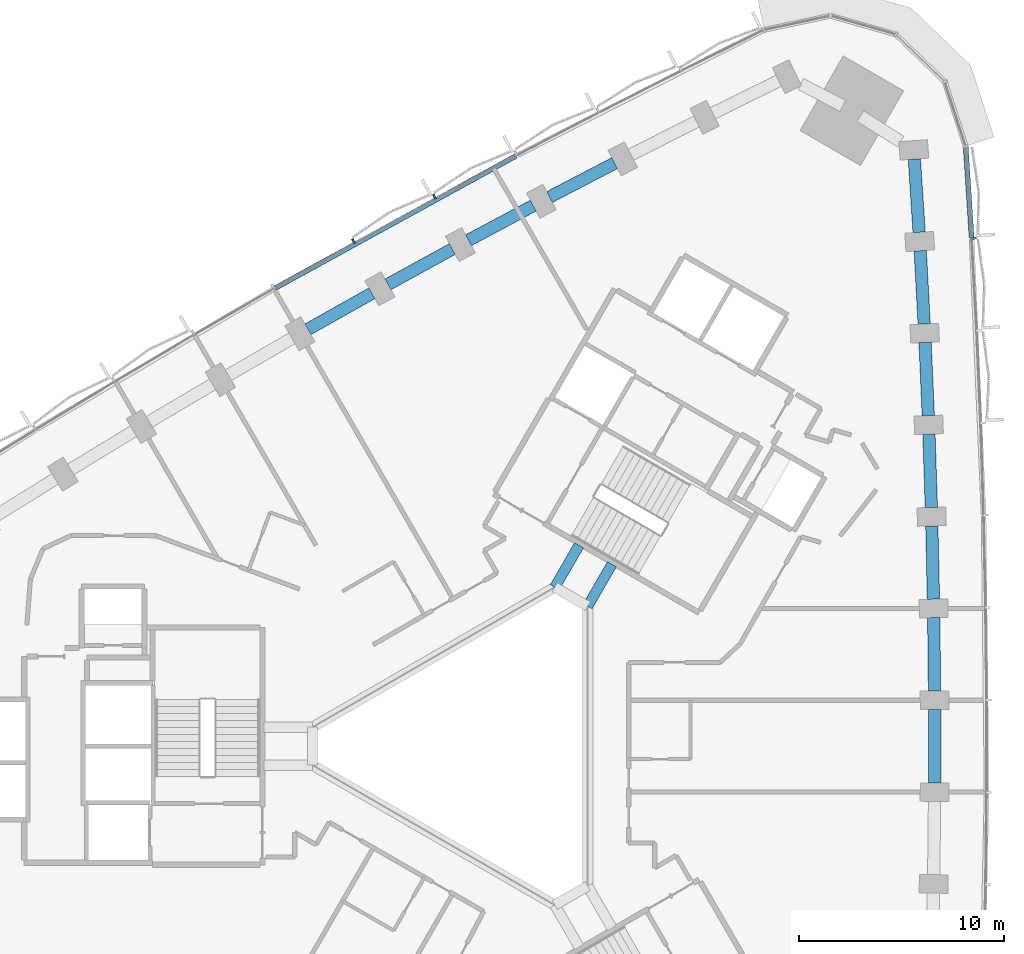
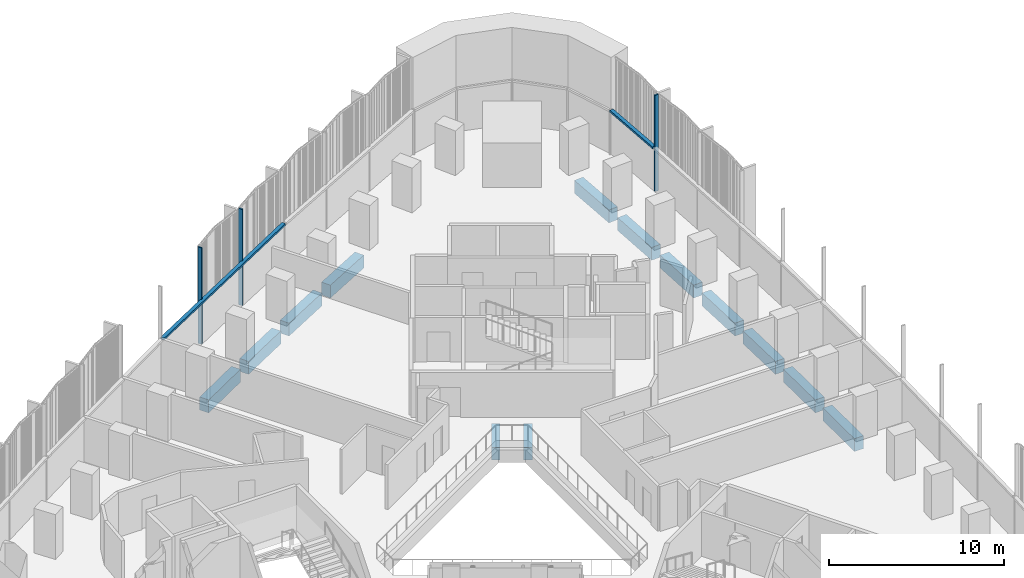
# One storey, part 5 of 16: 13 beams, 5 members, 2 elements without a shape of their own.
"""IFC4 building model written with IfcOpenShell, lengths in metres."""

from ifc_helpers import new_model, si_unit, direction, frame, origin, origin_2d, place, context, subcontext, project, spatial, rectangle, extrude, material, material_profile, profile_set, type_object, element, aggregate, save


model = new_model("IFC4")

# Units and contexts
model_context = context("Model", 3, precision=1e-05, world=origin(), true_north=direction((0.0, 1.0)))
body_context = subcontext(model_context, "Body", "Model", "MODEL_VIEW")
ifc_project = project(units=[si_unit("LENGTHUNIT", "METRE"), si_unit("AREAUNIT", "SQUARE_METRE"), si_unit("VOLUMEUNIT", "CUBIC_METRE"), si_unit("PLANEANGLEUNIT", "RADIAN"), si_unit("MASSUNIT", "GRAM", prefix="KILO")], contexts=[model_context])

# Site, building, storey
site_placement = place(None, origin())
site = spatial("IfcSite", under=ifc_project, at=site_placement, CompositionType="ELEMENT")
building_placement = place(site_placement, origin())
building = spatial("IfcBuilding", under=site, at=building_placement, Name="Tamra Quay Hotel Tower", CompositionType="ELEMENT")
storey_placement = place(building_placement, frame((0.0, 0.0, 56.60009765625)))
storey = spatial("IfcBuildingStorey", under=building, at=storey_placement, Name="L12", CompositionType="ELEMENT", Elevation=56.60009765625)

# Beams
ifc_material_1 = material(Name="Concrete M60", Category="concrete")
ifc_material_profile_1 = material_profile(ifc_material_1, rectangle(XDim=0.5, YDim=0.89990234375, at=origin_2d()), Name="ATRIUM TIE BEAM RC 500x900")
ifc_profile_set_1 = profile_set([ifc_material_profile_1], Name="Concrete M60")
beam_type_1 = type_object("IfcBeamType", Name="ATRIUM TIE BEAM RC 500x900", PredefinedType="BEAM", material=ifc_profile_set_1)
for number, where, z_axis, x_axis, name in (
    (1, (5.0, 6.812744140625, -0.925048828125), (0.500029618126, 0.866008303076, 0.0), (-0.866008303076, 0.500029618126, 0.0), "BM-TIE-0-L12"),
    (2, (3.39990234375, 7.736572265625, -0.925048828125), (0.500029618126, 0.866008303076, 0.0), (-0.866008303076, 0.500029618126, 0.0), "BM-TIE-5-L12"),
):
    element("IfcBeam", number, at=place(storey_placement, frame(where, z_axis=z_axis, x_axis=x_axis)), inside=storey, type_object=beam_type_1, Name=name, PredefinedType="BEAM", context=body_context, shape_type="SweptSolid", body=[
        extrude(rectangle(XDim=0.5, YDim=0.89990234375, at=origin_2d()), origin(), (0.0, 0.0, 1.0), 2.362060546875),
    ])

# Curtain wall, member
ifc_material_2 = material(Name="Aluminium 6063 anodised dark grey", Category="aluminium")
curtain_wall_type_1 = type_object("IfcCurtainWallType", Name="CW1 CURTAIN WALL", PredefinedType="NOTDEFINED", material=ifc_material_2)
curtain_wall_1_placement = place(storey_placement, origin())
curtain_wall_1 = element("IfcCurtainWall", 3, at=curtain_wall_1_placement, inside=storey, type_object=curtain_wall_type_1, Name="CW1 east face L12", PredefinedType="NOTDEFINED")
ifc_material_profile_2 = material_profile(ifc_material_2, rectangle(XDim=0.239990234375, YDim=0.10009765625, at=origin_2d()), Name="MULLION 100X240")
ifc_profile_set_2 = profile_set([ifc_material_profile_2], Name="Aluminium 6063 anodised dark grey")
member_type_1 = type_object("IfcMemberType", Name="MULLION CW1 Z1", PredefinedType="MULLION", material=ifc_profile_set_2)
member_1_placement = place(storey_placement, frame((23.81982421875, 24.73095703125, 0.0), z_axis=(0.0, 0.0, 1.0), x_axis=(0.998231971154, 0.05943847042, 0.0)))
member_1 = element("IfcMember", 4, at=member_1_placement, type_object=member_type_1, Name="CW1 mullion L12.E.13", PredefinedType="MULLION", context=body_context, shape_type="SweptSolid", body=[
    extrude(rectangle(XDim=0.239990234375, YDim=0.10009765625, at=origin_2d()), origin(), (0.0, 0.0, 1.0), 6.724853515625),
])

# Curtain wall, members
curtain_wall_type_2 = type_object("IfcCurtainWallType", Name="CW2 CURTAIN WALL", PredefinedType="NOTDEFINED", material=ifc_material_2)
curtain_wall_2_placement = place(storey_placement, origin())
curtain_wall_2 = element("IfcCurtainWall", 5, at=curtain_wall_2_placement, inside=storey, type_object=curtain_wall_type_2, Name="CW2 north-west face L12", PredefinedType="NOTDEFINED")
ifc_material_profile_3 = material_profile(ifc_material_2, rectangle(XDim=0.239990234375, YDim=0.10009765625, at=origin_2d()), Name="MULLION 100X240")
ifc_profile_set_3 = profile_set([ifc_material_profile_3], Name="Aluminium 6063 anodised dark grey")
member_type_2 = type_object("IfcMemberType", Name="MULLION CW2 Z1", PredefinedType="MULLION", material=ifc_profile_set_3)
member_2_placement = place(storey_placement, frame((-2.4619140625, 26.7578125, 0.0), z_axis=(0.0, 0.0, 1.0), x_axis=(-0.476376526936, 0.87924138016, 0.0)))
member_2 = element("IfcMember", 6, at=member_2_placement, type_object=member_type_2, Name="CW2 mullion L12.NW.5", PredefinedType="MULLION", context=body_context, shape_type="SweptSolid", body=[
    extrude(rectangle(XDim=0.239990234375, YDim=0.10009765625, at=origin_2d()), origin(), (0.0, 0.0, 1.0), 6.724853515625),
])
member_3_placement = place(storey_placement, frame((-6.406982421875, 24.592529296875, 0.0), z_axis=(0.0, 0.0, 1.0), x_axis=(-0.485863802361, 0.874034533388, 0.0)))
member_3 = element("IfcMember", 7, at=member_3_placement, type_object=member_type_2, Name="CW2 mullion L12.NW.6", PredefinedType="MULLION", context=body_context, shape_type="SweptSolid", body=[
    extrude(rectangle(XDim=0.239990234375, YDim=0.10009765625, at=origin_2d()), origin(), (0.0, 0.0, 1.0), 6.724853515625),
])

# Beams
ifc_material_profile_4 = material_profile(ifc_material_1, rectangle(XDim=0.60009765625, YDim=0.89990234375, at=origin_2d()), Name="SPANDREL BEAM RC 600x900")
ifc_profile_set_4 = profile_set([ifc_material_profile_4], Name="Concrete M60")
beam_type_2 = type_object("IfcBeamType", Name="SPANDREL BEAM RC 600x900", PredefinedType="SPANDREL", material=ifc_profile_set_4)
beam_1_placement = place(storey_placement, frame((21.894287109375, -1.785400390625, -0.925048828125), z_axis=(0.0, 1.0, 0.0), x_axis=(-1.0, 0.0, 0.0)))
element("IfcBeam", 8, at=beam_1_placement, inside=storey, type_object=beam_type_2, Name="BM-SP1-006-L12", PredefinedType="SPANDREL", context=body_context, shape_type="SweptSolid", body=[
    extrude(rectangle(XDim=0.60009765625, YDim=0.89990234375, at=origin_2d()), origin(), (0.0, 0.0, 1.0), 3.57080078125),
])
beam_2_placement = place(storey_placement, frame((21.889404296875, 2.685302734375, -0.925048828125), z_axis=(-0.010803527021, 0.999941640199, 0.0), x_axis=(-0.999941640199, -0.010803527021, 0.0)))
element("IfcBeam", 9, at=beam_2_placement, inside=storey, type_object=beam_type_2, Name="BM-SP1-007-L12", PredefinedType="SPANDREL", context=body_context, shape_type="SweptSolid", body=[
    extrude(rectangle(XDim=0.60009765625, YDim=0.89990234375, at=origin_2d()), origin(), (0.0, 0.0, 1.0), 3.570556640625),
])
beam_3_placement = place(storey_placement, frame((21.836181640625, 7.155517578125, -0.925048828125), z_axis=(-0.021679013576, 0.999764982569, 0.0), x_axis=(-0.999764982569, -0.021679013576, 0.0)))
element("IfcBeam", 10, at=beam_3_placement, inside=storey, type_object=beam_type_2, Name="BM-SP1-008-L12", PredefinedType="SPANDREL", context=body_context, shape_type="SweptSolid", body=[
    extrude(rectangle(XDim=0.60009765625, YDim=0.89990234375, at=origin_2d()), origin(), (0.0, 0.0, 1.0), 3.56982421875),
])
for number, where, z_axis, x_axis, name in (
    (11, (21.734619140625, 11.624267578125, -0.925048828125), (-0.032547568535, 0.999470187541, 0.0), (-0.999470187541, -0.032547568535, 0.0), "BM-SP1-009-L12"),
    (12, (21.58447265625, 16.09228515625, -0.925048828125), (-0.043282922957, 0.99906285517, 0.0), (-0.99906285517, -0.043282922957, 0.0), "BM-SP1-010-L12"),
):
    element("IfcBeam", number, at=place(storey_placement, frame(where, z_axis=z_axis, x_axis=x_axis)), inside=storey, type_object=beam_type_2, Name=name, PredefinedType="SPANDREL", context=body_context, shape_type="SweptSolid", body=[
        extrude(rectangle(XDim=0.60009765625, YDim=0.89990234375, at=origin_2d()), origin(), (0.0, 0.0, 1.0), 3.570556640625),
    ])
beam_4_placement = place(storey_placement, frame((21.385986328125, 20.558349609375, -0.925048828125), z_axis=(-0.054026860576, 0.998539482613, 0.0), x_axis=(-0.998539482613, -0.054026860576, 0.0)))
element("IfcBeam", 13, at=beam_4_placement, inside=storey, type_object=beam_type_2, Name="BM-SP1-011-L12", PredefinedType="SPANDREL", context=body_context, shape_type="SweptSolid", body=[
    extrude(rectangle(XDim=0.60009765625, YDim=0.89990234375, at=origin_2d()), origin(), (0.0, 0.0, 1.0), 3.56982421875),
])
beam_5_placement = place(storey_placement, frame((21.139404296875, 25.021484375, -0.925048828125), z_axis=(-0.064749077985, 0.99790157676, 0.0), x_axis=(-0.99790157676, -0.064749077985, 0.0)))
element("IfcBeam", 14, at=beam_5_placement, inside=storey, type_object=beam_type_2, Name="BM-SP1-012-L12", PredefinedType="SPANDREL", context=body_context, shape_type="SweptSolid", body=[
    extrude(rectangle(XDim=0.60009765625, YDim=0.89990234375, at=origin_2d()), origin(), (0.0, 0.0, 1.0), 3.57080078125),
])
beam_6_placement = place(storey_placement, frame((6.310546875, 28.388427734375, -0.925048828125), z_axis=(-0.886863886749, -0.462030785101, 0.0), x_axis=(0.462030785101, -0.886863886749, 0.0)))
element("IfcBeam", 15, at=beam_6_placement, inside=storey, type_object=beam_type_2, Name="BM-SP1-017-L12", PredefinedType="SPANDREL", context=body_context, shape_type="SweptSolid", body=[
    extrude(rectangle(XDim=0.60009765625, YDim=0.89990234375, at=origin_2d()), origin(), (0.0, 0.0, 1.0), 3.570556640625),
])
beam_7_placement = place(storey_placement, frame((2.34814453125, 26.318603515625, -0.925048828125), z_axis=(-0.881809110934, -0.471606501094, 0.0), x_axis=(0.471606501094, -0.881809110934, 0.0)))
element("IfcBeam", 16, at=beam_7_placement, inside=storey, type_object=beam_type_2, Name="BM-SP1-018-L12", PredefinedType="SPANDREL", context=body_context, shape_type="SweptSolid", body=[
    extrude(rectangle(XDim=0.60009765625, YDim=0.89990234375, at=origin_2d()), origin(), (0.0, 0.0, 1.0), 3.5703125),
])
beam_8_placement = place(storey_placement, frame((-1.591796875, 24.2060546875, -0.925048828125), z_axis=(-0.876617015828, -0.481188744216, 0.0), x_axis=(0.481188744216, -0.876617015828, 0.0)))
element("IfcBeam", 17, at=beam_8_placement, inside=storey, type_object=beam_type_2, Name="BM-SP1-019-L12", PredefinedType="SPANDREL", context=body_context, shape_type="SweptSolid", body=[
    extrude(rectangle(XDim=0.60009765625, YDim=0.89990234375, at=origin_2d()), origin(), (0.0, 0.0, 1.0), 3.56982421875),
])
beam_9_placement = place(storey_placement, frame((-5.5078125, 22.051025390625, -0.925048828125), z_axis=(-0.871431243693, -0.49051767299, 0.0), x_axis=(0.49051767299, -0.871431243693, 0.0)))
element("IfcBeam", 18, at=beam_9_placement, inside=storey, type_object=beam_type_2, Name="BM-SP1-020-L12", PredefinedType="SPANDREL", context=body_context, shape_type="SweptSolid", body=[
    extrude(rectangle(XDim=0.60009765625, YDim=0.89990234375, at=origin_2d()), origin(), (0.0, 0.0, 1.0), 3.570556640625),
])

# Member
ifc_material_profile_5 = material_profile(ifc_material_2, rectangle(XDim=0.239990234375, YDim=0.139892578125, at=origin_2d()), Name="TRANSOM 240X140")
ifc_profile_set_5 = profile_set([ifc_material_profile_5], Name="Aluminium 6063 anodised dark grey")
member_type_3 = type_object("IfcMemberType", Name="TRANSOM CW1 Z1", PredefinedType="USERDEFINED", material=ifc_profile_set_5)
member_4_placement = place(storey_placement, frame((23.69677734375, 24.773681640625, 3.054931640625), z_axis=(-0.064805058394, 0.997897942881, 0.0), x_axis=(-0.997897942881, -0.064805058394, 0.0)))
member_4 = element("IfcMember", 19, at=member_4_placement, type_object=member_type_3, Name="CW1 transom L12.E.13", ObjectType="TRANSOM", PredefinedType="USERDEFINED", context=body_context, shape_type="SweptSolid", body=[
    extrude(rectangle(XDim=0.239990234375, YDim=0.139892578125, at=origin_2d()), origin(), (0.0, 0.0, 1.0), 4.396484375),
])

aggregate(curtain_wall_1, [member_1, member_4])

ifc_material_profile_6 = material_profile(ifc_material_2, rectangle(XDim=0.239990234375, YDim=0.139892578125, at=origin_2d()), Name="TRANSOM 240X140")
ifc_profile_set_6 = profile_set([ifc_material_profile_6], Name="Aluminium 6063 anodised dark grey")
member_type_4 = type_object("IfcMemberType", Name="TRANSOM CW2 Z1", PredefinedType="USERDEFINED", material=ifc_profile_set_6)
member_5_placement = place(storey_placement, frame((1.516845703125, 28.749755859375, 3.054931640625), z_axis=(-0.876646998642, -0.481134118279, 0.0), x_axis=(0.481134118279, -0.876646998642, 0.0)))
member_5 = element("IfcMember", 20, at=member_5_placement, type_object=member_type_4, Name="CW2 transom L12.NW.4", ObjectType="TRANSOM", PredefinedType="USERDEFINED", context=body_context, shape_type="SweptSolid", body=[
    extrude(rectangle(XDim=0.239990234375, YDim=0.139892578125, at=origin_2d()), origin(), (0.0, 0.0, 1.0), 13.39306640625),
])

aggregate(curtain_wall_2, [member_5, member_2, member_3])

save(model, "model.ifc")
